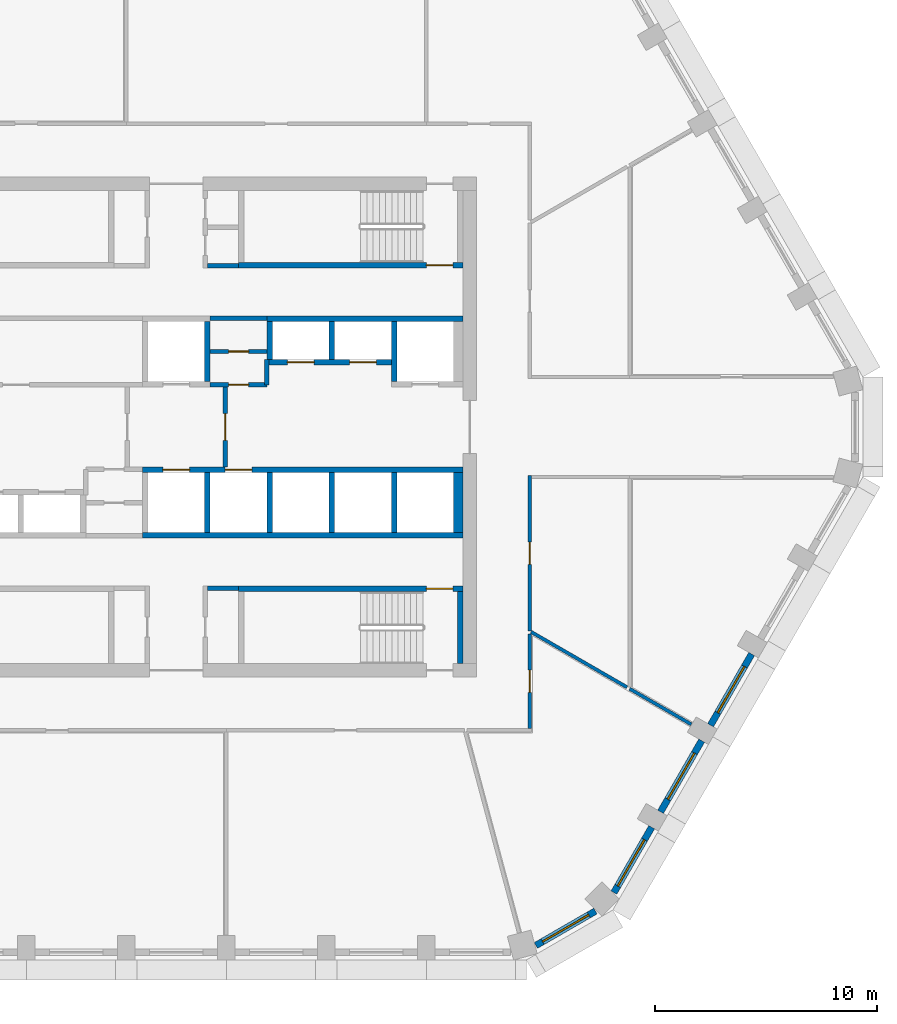
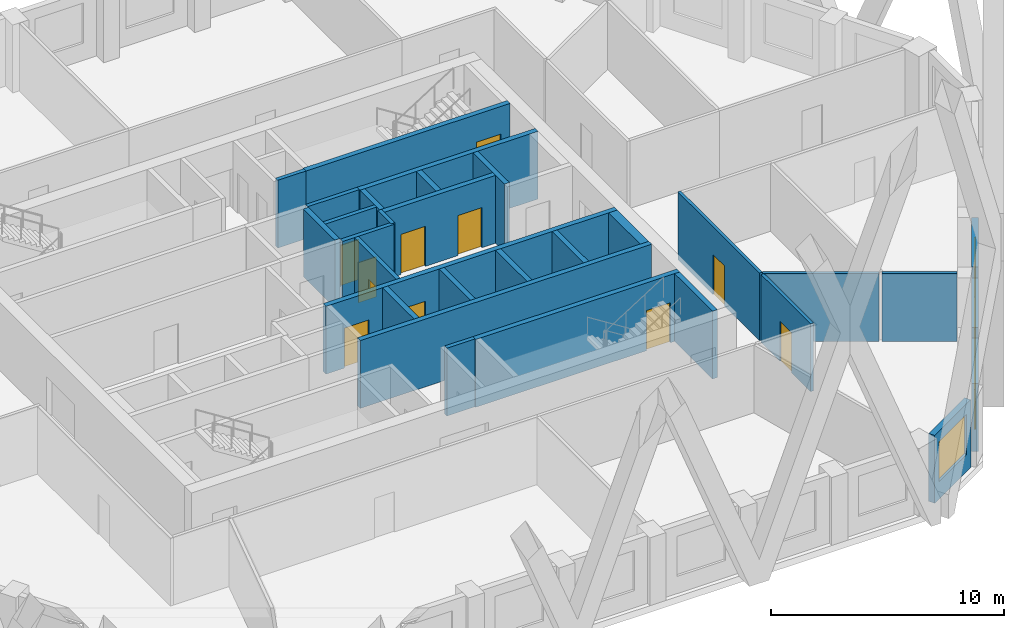
# One storey, part 4 of 15: 31 walls, 11 doors, 4 windows, 15 openings.
"""IFC4 building model written with IfcOpenShell, lengths in metres."""

import ifcopenshell
import ifcopenshell.guid

model = None  # the IFC model being written
_history = None  # IfcOwnerHistory: only IFC2X3 demands one
_inside = {}  # id of a spatial element -> (the spatial element, [elements in it])
_under = {}  # id of a project, library or spatial element -> (it, [spatial elements below it])
_declared = {}  # id of a project -> (the project, [libraries it declares])
_typed = {}  # id of a type object -> (the type object, [elements of that type])
_made_of = {}  # id of a material, layer set ... -> (it, [elements and type objects made of it])


def new_model(schema):
    """Start an empty IFC model of exactly this schema.

    Asked for "IFC4X3", IfcOpenShell would pick the latest addendum, in which some entities
    have other attributes; the version numbers below select the first issue.
    IFC2X3 requires an IfcOwnerHistory on every rooted entity: one is made here for all.
    """
    global model, _history
    if schema == "IFC4X3":
        model = ifcopenshell.file(schema_version=(4, 3, 0, 0))
    else:
        model = ifcopenshell.file(schema=schema)
    _inside.clear()
    _under.clear()
    _declared.clear()
    _typed.clear()
    _made_of.clear()
    _history = None
    if model.schema == "IFC2X3":
        org = make("IfcOrganization", Name="unknown")
        user = make(
            "IfcPersonAndOrganization",
            ThePerson=make("IfcPerson", FamilyName="unknown"),
            TheOrganization=org,
        )
        app = make(
            "IfcApplication",
            ApplicationDeveloper=org,
            Version="unknown",
            ApplicationFullName="unknown",
            ApplicationIdentifier="unknown",
        )
        _history = make(
            "IfcOwnerHistory",
            OwningUser=user,
            OwningApplication=app,
            ChangeAction="ADDED",
            CreationDate=0,
        )
    return model


def make(cls, **values):
    """One entity of the class cls with the attributes given. An attribute that is None is left unset."""
    return model.create_entity(
        cls, **{name: value for name, value in values.items() if value is not None}
    )


def rooted(cls, **values):
    """An entity with a GlobalId (a new one), such as an element, a storey or a relation."""
    return make(cls, GlobalId=ifcopenshell.guid.new(), OwnerHistory=_history, **values)


def si_unit(unit_type, name, prefix=None):
    """IfcSIUnit, for example si_unit("LENGTHUNIT", "METRE", prefix="MILLI")."""
    return make("IfcSIUnit", UnitType=unit_type, Prefix=prefix, Name=name)


def assignment(units):
    """IfcUnitAssignment: the units of a project."""
    return None if units is None else make("IfcUnitAssignment", Units=units)


def point(xyz):
    """IfcCartesianPoint."""
    return None if xyz is None else make("IfcCartesianPoint", Coordinates=xyz)


def direction(xyz):
    """IfcDirection."""
    return None if xyz is None else make("IfcDirection", DirectionRatios=xyz)


def frame(location, z_axis=None, x_axis=None):
    """IfcAxis2Placement3D, a coordinate frame: its origin and axes. An axis left out is left unset."""
    return make(
        "IfcAxis2Placement3D",
        Location=point(location),
        Axis=direction(z_axis),
        RefDirection=direction(x_axis),
    )


def frame_2d(location, x_axis=None):
    """IfcAxis2Placement2D, a coordinate frame in the plane: its origin and x axis."""
    return make(
        "IfcAxis2Placement2D", Location=point(location), RefDirection=direction(x_axis)
    )


def origin():
    """The frame at (0, 0, 0) with its axes left unset."""
    return frame((0.0, 0.0, 0.0))


def place(relative_to, where):
    """IfcLocalPlacement: puts the frame where relative to a parent placement (None: the world)."""
    return make(
        "IfcLocalPlacement", PlacementRelTo=relative_to, RelativePlacement=where
    )


def context(
    kind, dimensions, precision=None, world=None, true_north=None, identifier=None
):
    """IfcGeometricRepresentationContext, for example the 3D "Model" context."""
    return make(
        "IfcGeometricRepresentationContext",
        ContextIdentifier=identifier,
        ContextType=kind,
        CoordinateSpaceDimension=dimensions,
        Precision=precision,
        WorldCoordinateSystem=world,
        TrueNorth=true_north,
    )


def subcontext(parent, identifier, kind, view, scale=None):
    """IfcGeometricRepresentationSubContext, for example "Body" below "Model"."""
    return make(
        "IfcGeometricRepresentationSubContext",
        ContextIdentifier=identifier,
        ContextType=kind,
        ParentContext=parent,
        TargetScale=scale,
        TargetView=view,
    )


def project(units=None, contexts=None):
    """IfcProject with its units and contexts."""
    return rooted(
        "IfcProject",
        Name="project",
        RepresentationContexts=contexts,
        UnitsInContext=assignment(units),
    )


def spatial(cls, under=None, at=None, **own):
    """A site, building, storey or space (cls), placed at a placement, below another one or the project."""
    s = rooted(cls, ObjectPlacement=at, **own)
    if under is not None:
        _under.setdefault(under.id(), (under, []))[1].append(s)
    return s


def polyline(points):
    """IfcPolyline through the points."""
    return make("IfcPolyline", Points=[point(p) for p in points])


def profile(cls, at=None, kind="AREA", **sizes):
    """A parametric profile (cls). Its sizes go by their IFC names, for example OverallWidth=200.0."""
    return make(cls, ProfileType=kind, Position=at, **sizes)


def rectangle(**sizes):
    """IfcRectangleProfileDef."""
    return profile("IfcRectangleProfileDef", **sizes)


def outline(outer, holes=None, kind="AREA"):
    """IfcArbitraryClosedProfileDef: a profile drawn as a closed curve; with holes, ...WithVoids."""
    if holes is None:
        return make("IfcArbitraryClosedProfileDef", ProfileType=kind, OuterCurve=outer)
    return make(
        "IfcArbitraryProfileDefWithVoids",
        ProfileType=kind,
        OuterCurve=outer,
        InnerCurves=holes,
    )


def extrude(swept, where, along, depth):
    """IfcExtrudedAreaSolid: the profile swept, set in the frame where, extruded along a direction by depth."""
    return make(
        "IfcExtrudedAreaSolid",
        SweptArea=swept,
        Position=where,
        ExtrudedDirection=direction(along),
        Depth=depth,
    )


def shape(context_of_items, identifier, shape_type, items):
    """IfcShapeRepresentation: the items that make up one representation, for example the "Body"."""
    return make(
        "IfcShapeRepresentation",
        ContextOfItems=context_of_items,
        RepresentationIdentifier=identifier,
        RepresentationType=shape_type,
        Items=items,
    )


def material(Name=None, Category=None):
    """IfcMaterial."""
    return make("IfcMaterial", Name=Name, Category=Category)


def layer(
    of_material, thickness, ventilated=None, Name=None, Category=None, Priority=None
):
    """IfcMaterialLayer: one layer of a wall or slab, of a material (None: an air gap)."""
    return make(
        "IfcMaterialLayer",
        Material=of_material,
        LayerThickness=thickness,
        IsVentilated=ventilated,
        Name=Name,
        Category=Category,
        Priority=Priority,
    )


def layer_set(layers, Name=None):
    """IfcMaterialLayerSet."""
    return make("IfcMaterialLayerSet", MaterialLayers=layers, LayerSetName=Name)


def made_of(thing, what):
    """Note that an element or type object is made of a material, layer set ...; save() writes the relation."""
    if what is not None:
        _made_of.setdefault(what.id(), (what, []))[1].append(thing)
    return thing


def type_object(cls, material=None, **own):
    """A type object (cls), such as IfcWallType, which elements share."""
    return made_of(rooted(cls, **own), material)


def element(
    cls,
    number,
    at=None,
    inside=None,
    cuts=None,
    type_object=None,
    material=None,
    context=None,
    identifier="Body",
    shape_type=None,
    held_by="IfcProductDefinitionShape",
    body=None,
    shapes=None,
    **own,
):
    """One element of the class cls, such as IfcWall. Its Tag is "e" and its number.

    at: its placement. inside: the storey or other place that contains it. cuts: it is an
    opening in that element (IfcRelVoidsElement). A single representation is given by context,
    identifier, shape_type and body (its items); several are given by shapes. held_by: the class
    of the entity that holds the representations. save() writes the other relations.
    """
    e = rooted(cls, Tag="e%d" % number, ObjectPlacement=at, **own)
    if body is not None:
        shapes = [shape(context, identifier, shape_type, body)]
    if shapes is not None:
        e.Representation = make(held_by, Representations=shapes)
    if inside is not None:
        _inside.setdefault(inside.id(), (inside, []))[1].append(e)
    if cuts is not None:
        rooted(
            "IfcRelVoidsElement", RelatingBuildingElement=cuts, RelatedOpeningElement=e
        )
    if type_object is not None:
        _typed.setdefault(type_object.id(), (type_object, []))[1].append(e)
    return made_of(e, material)


def fill(opening, filler):
    """IfcRelFillsElement: the door or window that sits in an opening."""
    return rooted(
        "IfcRelFillsElement",
        RelatingOpeningElement=opening,
        RelatedBuildingElement=filler,
    )


def aggregate(whole, parts):
    """IfcRelAggregates: a whole, such as a stair, and the parts it consists of."""
    return rooted("IfcRelAggregates", RelatingObject=whole, RelatedObjects=parts)


def save(model, path):
    """Write the relations noted so far, then the file.

    IfcRelAggregates (storeys below a building ...), IfcRelContainedInSpatialStructure (elements
    in a storey), IfcRelDefinesByType, IfcRelAssociatesMaterial and IfcRelDeclares: one each for
    every whole, place, type object, material and project.
    """
    for whole, parts in _under.values():
        aggregate(whole, parts)
    for where, things in _inside.values():
        rooted(
            "IfcRelContainedInSpatialStructure",
            RelatedElements=things,
            RelatingStructure=where,
        )
    for kind, things in _typed.values():
        rooted("IfcRelDefinesByType", RelatedObjects=things, RelatingType=kind)
    for what, things in _made_of.values():
        rooted("IfcRelAssociatesMaterial", RelatedObjects=things, RelatingMaterial=what)
    for by, libraries in _declared.values():
        rooted("IfcRelDeclares", RelatingContext=by, RelatedDefinitions=libraries)
    model.write(path)


model = new_model("IFC4")

# Units and contexts
model_context = context("Model", 3, precision=1e-05, world=origin(), true_north=direction((0.0, 1.0)))
body_context = subcontext(model_context, "Body", "Model", "MODEL_VIEW")
ifc_project = project(units=[si_unit("LENGTHUNIT", "METRE"), si_unit("AREAUNIT", "SQUARE_METRE"), si_unit("VOLUMEUNIT", "CUBIC_METRE"), si_unit("PLANEANGLEUNIT", "RADIAN"), si_unit("MASSUNIT", "GRAM", prefix="KILO")], contexts=[model_context])

# Site, building, storey
site_placement = place(None, origin())
site = spatial("IfcSite", under=ifc_project, at=site_placement, CompositionType="ELEMENT")
building_placement = place(site_placement, origin())
building = spatial("IfcBuilding", under=site, at=building_placement, Name="Dhurran Vertical Campus", CompositionType="ELEMENT")
storey_placement = place(building_placement, frame((0.0, 0.0, 207.300048828125)))
storey = spatial("IfcBuildingStorey", under=building, at=storey_placement, Name="L51", CompositionType="ELEMENT", Elevation=207.300048828125)

# Wall, opening, window
ifc_material_1 = material(Name="Precast concrete C50/60", Category="concrete")
ifc_layer_1 = layer(ifc_material_1, 0.300048828125)
ifc_layer_set_1 = layer_set([ifc_layer_1], Name="Precast concrete C50/60")
wall_type_1 = type_object("IfcWallType", Name="Precast spandrel wall 300", PredefinedType="SOLIDWALL", material=ifc_layer_set_1)
wall_1_placement = place(storey_placement, frame((16.184326171875, -23.330810546875, 0.0), z_axis=(0.0, 0.0, 1.0), x_axis=(0.865994975416, 0.500052699777, 0.0)))
wall_1 = element("IfcWall", 1, at=wall_1_placement, inside=storey, type_object=wall_type_1, Name="EW1 L51.07", PredefinedType="SOLIDWALL", context=body_context, shape_type="SweptSolid", body=[
    extrude(rectangle(XDim=3.093017578125, YDim=0.300048828125, at=frame_2d((1.54638671875, 0.0))), origin(), (0.0, 0.0, 1.0), 3.550048828125),
])
opening_1_placement = place(wall_1_placement, frame((0.346435546875, 0.0, 0.89990234375)))
opening_1 = element("IfcOpeningElement", 2, at=opening_1_placement, cuts=wall_1, Name="Opening WT1", PredefinedType="OPENING", context=body_context, shape_type="SweptSolid", body=[
    extrude(rectangle(XDim=2.39990234375, YDim=2.10009765625, at=frame_2d((1.199951171875, 1.050048828125))), frame((0.0, 0.159912109375, 0.0), z_axis=(0.0, -1.0, 0.0), x_axis=(1.0, 0.0, 0.0)), (0.0, 0.0, 1.0), 0.320068359375),
])
ifc_material_2 = material(Name="Aluminium frame with solar-control glass", Category="aluminium")
window_type = type_object("IfcWindowType", Name="Punched window 2400 x 2100", PartitioningType="SINGLE_PANEL", PredefinedType="WINDOW", material=ifc_material_2)
window_1_placement = place(opening_1_placement, origin())
window_1 = element("IfcWindow", 3, at=window_1_placement, inside=storey, type_object=window_type, Name="WT1 L51.07", OverallHeight=2.10009765625, OverallWidth=2.39990234375, PartitioningType="SINGLE_PANEL", PredefinedType="WINDOW", context=body_context, shape_type="SweptSolid", body=[
    extrude(rectangle(XDim=2.39990234375, YDim=2.10009765625, at=frame_2d((1.199951171875, 1.050048828125))), frame((0.0, 0.030029296875, 0.0), z_axis=(0.0, -1.0, 0.0), x_axis=(1.0, 0.0, 0.0)), (0.0, 0.0, 1.0), 0.06005859375),
])
fill(opening_1, window_1)

wall_2_placement = place(storey_placement, frame((19.69580078125, -20.951171875, 0.0), z_axis=(0.0, 0.0, 1.0), x_axis=(0.500012868213, 0.866017974191, 0.0)))
wall_2 = element("IfcWall", 4, at=wall_2_placement, inside=storey, type_object=wall_type_1, Name="EW1 L51.08", PredefinedType="SOLIDWALL", context=body_context, shape_type="SweptSolid", body=[
    extrude(rectangle(XDim=3.39599609375, YDim=0.300048828125, at=frame_2d((1.697998046875, 0.0))), origin(), (0.0, 0.0, 1.0), 3.550048828125),
])
opening_2_placement = place(wall_2_placement, frame((0.346435546875, 0.0, 0.89990234375)))
opening_2 = element("IfcOpeningElement", 5, at=opening_2_placement, cuts=wall_2, Name="Opening WT1", PredefinedType="OPENING", context=body_context, shape_type="SweptSolid", body=[
    extrude(rectangle(XDim=2.39990234375, YDim=2.10009765625, at=frame_2d((1.199951171875, 1.050048828125))), frame((0.0, 0.159912109375, 0.0), z_axis=(0.0, -1.0, 0.0), x_axis=(1.0, 0.0, 0.0)), (0.0, 0.0, 1.0), 0.320068359375),
])
window_2_placement = place(opening_2_placement, origin())
window_2 = element("IfcWindow", 6, at=window_2_placement, inside=storey, type_object=window_type, Name="WT1 L51.08", OverallHeight=2.10009765625, OverallWidth=2.39990234375, PartitioningType="SINGLE_PANEL", PredefinedType="WINDOW", context=body_context, shape_type="SweptSolid", body=[
    extrude(rectangle(XDim=2.39990234375, YDim=2.10009765625, at=frame_2d((1.199951171875, 1.050048828125))), frame((0.0, 0.030029296875, 0.0), z_axis=(0.0, -1.0, 0.0), x_axis=(1.0, 0.0, 0.0)), (0.0, 0.0, 1.0), 0.06005859375),
])
fill(opening_2, window_2)

wall_3_placement = place(storey_placement, frame((21.794189453125, -17.316650390625, 0.0), z_axis=(0.0, 0.0, 1.0), x_axis=(0.500029062817, 0.866008623709, 0.0)))
wall_3 = element("IfcWall", 7, at=wall_3_placement, inside=storey, type_object=wall_type_1, Name="EW1 L51.09", PredefinedType="SOLIDWALL", context=body_context, shape_type="SweptSolid", body=[
    extrude(rectangle(XDim=3.698974609375, YDim=0.300048828125, at=frame_2d((1.849609375, 0.0))), origin(), (0.0, 0.0, 1.0), 3.550048828125),
])
opening_3_placement = place(wall_3_placement, frame((0.6494140625, 0.0, 0.89990234375)))
opening_3 = element("IfcOpeningElement", 8, at=opening_3_placement, cuts=wall_3, Name="Opening WT1", PredefinedType="OPENING", context=body_context, shape_type="SweptSolid", body=[
    extrude(rectangle(XDim=2.39990234375, YDim=2.10009765625, at=frame_2d((1.199951171875, 1.050048828125))), frame((0.0, 0.159912109375, 0.0), z_axis=(0.0, -1.0, 0.0), x_axis=(1.0, 0.0, 0.0)), (0.0, 0.0, 1.0), 0.320068359375),
])
window_3_placement = place(opening_3_placement, origin())
window_3 = element("IfcWindow", 9, at=window_3_placement, inside=storey, type_object=window_type, Name="WT1 L51.09", OverallHeight=2.10009765625, OverallWidth=2.39990234375, PartitioningType="SINGLE_PANEL", PredefinedType="WINDOW", context=body_context, shape_type="SweptSolid", body=[
    extrude(rectangle(XDim=2.39990234375, YDim=2.10009765625, at=frame_2d((1.199951171875, 1.050048828125))), frame((0.0, 0.030029296875, 0.0), z_axis=(0.0, -1.0, 0.0), x_axis=(1.0, 0.0, 0.0)), (0.0, 0.0, 1.0), 0.06005859375),
])
fill(opening_3, window_3)

wall_4_placement = place(storey_placement, frame((24.044189453125, -13.41943359375, 0.0), z_axis=(0.0, 0.0, 1.0), x_axis=(0.500029062817, 0.866008623709, 0.0)))
wall_4 = element("IfcWall", 10, at=wall_4_placement, inside=storey, type_object=wall_type_1, Name="EW1 L51.10", PredefinedType="SOLIDWALL", context=body_context, shape_type="SweptSolid", body=[
    extrude(rectangle(XDim=3.698974609375, YDim=0.300048828125, at=frame_2d((1.849609375, 0.0))), origin(), (0.0, 0.0, 1.0), 3.550048828125),
])
opening_4_placement = place(wall_4_placement, frame((0.6494140625, 0.0, 0.89990234375)))
opening_4 = element("IfcOpeningElement", 11, at=opening_4_placement, cuts=wall_4, Name="Opening WT1", PredefinedType="OPENING", context=body_context, shape_type="SweptSolid", body=[
    extrude(rectangle(XDim=2.39990234375, YDim=2.10009765625, at=frame_2d((1.199951171875, 1.050048828125))), frame((0.0, 0.159912109375, 0.0), z_axis=(0.0, -1.0, 0.0), x_axis=(1.0, 0.0, 0.0)), (0.0, 0.0, 1.0), 0.320068359375),
])
window_4_placement = place(opening_4_placement, origin())
window_4 = element("IfcWindow", 12, at=window_4_placement, inside=storey, type_object=window_type, Name="WT1 L51.10", OverallHeight=2.10009765625, OverallWidth=2.39990234375, PartitioningType="SINGLE_PANEL", PredefinedType="WINDOW", context=body_context, shape_type="SweptSolid", body=[
    extrude(rectangle(XDim=2.39990234375, YDim=2.10009765625, at=frame_2d((1.199951171875, 1.050048828125))), frame((0.0, 0.030029296875, 0.0), z_axis=(0.0, -1.0, 0.0), x_axis=(1.0, 0.0, 0.0)), (0.0, 0.0, 1.0), 0.06005859375),
])
fill(opening_4, window_4)

# Wall, opening, door
ifc_material_3 = material(Name="Fire-rated masonry blockwork", Category="masonry")
ifc_layer_2 = layer(ifc_material_3, 0.199951171875)
ifc_layer_set_2 = layer_set([ifc_layer_2], Name="Fire-rated masonry blockwork")
wall_type_2 = type_object("IfcWallType", Name="co-FIRE-PARTITION-200", PredefinedType="PARTITIONING", material=ifc_layer_set_2)
wall_5_placement = place(storey_placement, frame((2.199951171875, -1.800048828125, 0.0), z_axis=(0.0, 0.0, 1.0), x_axis=(0.0, 1.0, 0.0)))
wall_5 = element("IfcWall", 13, at=wall_5_placement, inside=storey, type_object=wall_type_2, Name="Firefighting lobby wall E L51", PredefinedType="PARTITIONING", context=body_context, shape_type="SweptSolid", body=[
    extrude(rectangle(XDim=3.60009765625, YDim=0.199951171875, at=frame_2d((1.800048828125, 0.0))), origin(), (0.0, 0.0, 1.0), 3.550048828125),
])
opening_5_placement = place(wall_5_placement, frame((1.199951171875, 0.0, 0.0)))
opening_5 = element("IfcOpeningElement", 14, at=opening_5_placement, cuts=wall_5, Name="Opening FL2", PredefinedType="OPENING", context=body_context, shape_type="SweptSolid", body=[
    extrude(rectangle(XDim=1.199951171875, YDim=2.10009765625, at=frame_2d((0.60009765625, 1.050048828125))), frame((0.0, 0.10986328125, 0.0), z_axis=(0.0, -1.0, 0.0), x_axis=(1.0, 0.0, 0.0)), (0.0, 0.0, 1.0), 0.219970703125),
])
ifc_material_4 = material(Name="Fire-rated steel door set", Category="steel")
door_type_1 = type_object("IfcDoorType", Name="co-D-FFLOBBY 1200x2100", OperationType="SINGLE_SWING_LEFT", PredefinedType="DOOR", material=ifc_material_4)
door_1_placement = place(opening_5_placement, origin())
door_1 = element("IfcDoor", 15, at=door_1_placement, inside=storey, type_object=door_type_1, Name="Firefighting lobby door E L51", OperationType="SINGLE_SWING_LEFT", OverallHeight=2.10009765625, OverallWidth=1.199951171875, PredefinedType="DOOR", context=body_context, shape_type="SweptSolid", body=[
    extrude(rectangle(XDim=1.199951171875, YDim=2.10009765625, at=frame_2d((0.60009765625, 1.050048828125))), frame((0.0, 0.02490234375, 0.0), z_axis=(0.0, -1.0, 0.0), x_axis=(1.0, 0.0, 0.0)), (0.0, 0.0, 1.0), 0.050048828125),
])
fill(opening_5, door_1)

# Walls
for number, where, z_axis, x_axis, name in (
    (16, (1.39990234375, 7.25, 0.0), (0.0, 0.0, 1.0), (1.0, 0.0, 0.0), "Core partition sl-NE-S L51"),
    (17, (1.39990234375, -7.25, 0.0), (0.0, 0.0, 1.0), (1.0, 0.0, 0.0), "Core partition sl-SE-S L51"),
):
    element("IfcWall", number, at=place(storey_placement, frame(where, z_axis=z_axis, x_axis=x_axis)), inside=storey, type_object=wall_type_2, Name=name, PredefinedType="PARTITIONING", context=body_context, shape_type="SweptSolid", body=[
        extrude(rectangle(XDim=1.400146484375, YDim=0.199951171875, at=frame_2d((0.7001953125, 0.0))), origin(), (0.0, 0.0, 1.0), 3.550048828125),
    ])

# Wall, opening, door
wall_6_placement = place(storey_placement, frame((1.52490234375, 3.39990234375, 0.0), z_axis=(0.0, 0.0, 1.0), x_axis=(1.0, 0.0, 0.0)))
wall_6 = element("IfcWall", 18, at=wall_6_placement, inside=storey, type_object=wall_type_2, Name="Core partition fr-N1-c L51", PredefinedType="PARTITIONING", context=body_context, shape_type="SweptSolid", body=[
    extrude(rectangle(XDim=2.550048828125, YDim=0.199951171875, at=frame_2d((1.27490234375, 0.0))), origin(), (0.0, 0.0, 1.0), 3.550048828125),
])
opening_6_placement = place(wall_6_placement, frame((0.824951171875, 0.0, 0.0)))
opening_6 = element("IfcOpeningElement", 19, at=opening_6_placement, cuts=wall_6, Name="Opening T15-C7", PredefinedType="OPENING", context=body_context, shape_type="SweptSolid", body=[
    extrude(rectangle(XDim=0.89990234375, YDim=2.10009765625, at=frame_2d((0.449951171875, 1.050048828125))), frame((0.0, 0.10986328125, 0.0), z_axis=(0.0, -1.0, 0.0), x_axis=(1.0, 0.0, 0.0)), (0.0, 0.0, 1.0), 0.219970703125),
])
ifc_material_5 = material(Name="Fire-rated timber door set", Category="wood")
door_type_2 = type_object("IfcDoorType", Name="co-D-ROOM 900x2100", OperationType="SINGLE_SWING_LEFT", PredefinedType="DOOR", material=ifc_material_5)
door_2_placement = place(opening_6_placement, origin())
door_2 = element("IfcDoor", 20, at=door_2_placement, inside=storey, type_object=door_type_2, Name="Communications room door L51", OperationType="SINGLE_SWING_LEFT", OverallHeight=2.10009765625, OverallWidth=0.89990234375, PredefinedType="DOOR", context=body_context, shape_type="SweptSolid", body=[
    extrude(rectangle(XDim=0.89990234375, YDim=2.10009765625, at=frame_2d((0.449951171875, 1.050048828125))), frame((0.0, 0.02490234375, 0.0), z_axis=(0.0, -1.0, 0.0), x_axis=(1.0, 0.0, 0.0)), (0.0, 0.0, 1.0), 0.050048828125),
])
fill(opening_6, door_2)

wall_7_placement = place(storey_placement, frame((1.52490234375, 1.89990234375, 0.0), z_axis=(0.0, 0.0, 1.0), x_axis=(1.0, 0.0, 0.0)))
wall_7 = element("IfcWall", 21, at=wall_7_placement, inside=storey, type_object=wall_type_2, Name="Core partition fr-N1-f L51", PredefinedType="PARTITIONING", context=body_context, shape_type="SweptSolid", body=[
    extrude(rectangle(XDim=2.550048828125, YDim=0.199951171875, at=frame_2d((1.27490234375, 0.0))), origin(), (0.0, 0.0, 1.0), 3.550048828125),
])
opening_7_placement = place(wall_7_placement, frame((0.824951171875, 0.0, 0.0)))
opening_7 = element("IfcOpeningElement", 22, at=opening_7_placement, cuts=wall_7, Name="Opening T15-C8", PredefinedType="OPENING", context=body_context, shape_type="SweptSolid", body=[
    extrude(rectangle(XDim=0.89990234375, YDim=2.10009765625, at=frame_2d((0.449951171875, 1.050048828125))), frame((0.0, 0.10986328125, 0.0), z_axis=(0.0, -1.0, 0.0), x_axis=(1.0, 0.0, 0.0)), (0.0, 0.0, 1.0), 0.219970703125),
])
door_3_placement = place(opening_7_placement, origin())
door_3 = element("IfcDoor", 23, at=door_3_placement, inside=storey, type_object=door_type_2, Name="Server room door L51", OperationType="SINGLE_SWING_LEFT", OverallHeight=2.10009765625, OverallWidth=0.89990234375, PredefinedType="DOOR", context=body_context, shape_type="SweptSolid", body=[
    extrude(rectangle(XDim=0.89990234375, YDim=2.10009765625, at=frame_2d((0.449951171875, 1.050048828125))), frame((0.0, 0.02490234375, 0.0), z_axis=(0.0, -1.0, 0.0), x_axis=(1.0, 0.0, 0.0)), (0.0, 0.0, 1.0), 0.050048828125),
])
fill(opening_7, door_3)

# Walls
wall_8_placement = place(storey_placement, frame((1.52490234375, 4.89990234375, 0.0), z_axis=(0.0, 0.0, 1.0), x_axis=(1.0, 0.0, 0.0)))
element("IfcWall", 24, at=wall_8_placement, inside=storey, type_object=wall_type_2, Name="Core partition fr-N1-b L51", PredefinedType="PARTITIONING", context=body_context, shape_type="SweptSolid", body=[
    extrude(rectangle(XDim=2.550048828125, YDim=0.199951171875, at=frame_2d((1.27490234375, 0.0))), origin(), (0.0, 0.0, 1.0), 3.550048828125),
])
wall_9_placement = place(storey_placement, frame((4.074951171875, 1.89990234375, 0.0), z_axis=(0.0, 0.0, 1.0), x_axis=(0.0, 1.0, 0.0)))
element("IfcWall", 25, at=wall_9_placement, inside=storey, type_object=wall_type_2, Name="Core partition fr-N1-n1 L51", PredefinedType="PARTITIONING", context=body_context, shape_type="SweptSolid", body=[
    extrude(rectangle(XDim=1.150146484375, YDim=0.199951171875, at=frame_2d((0.5751953125, 0.0))), origin(), (0.0, 0.0, 1.0), 3.550048828125),
])

# Wall, openings, doors
ifc_material_6 = material(Name="Concrete C50/60", Category="concrete")
ifc_layer_3 = layer(ifc_material_6, 0.25)
ifc_layer_set_3 = layer_set([ifc_layer_3], Name="Concrete C50/60")
wall_type_3 = type_object("IfcWallType", Name="co-SHAFT-FRONT-250", PredefinedType="SHEAR", material=ifc_layer_set_3)
wall_10_placement = place(storey_placement, frame((4.074951171875, 2.925048828125, 0.0), z_axis=(0.0, 0.0, 1.0), x_axis=(1.0, 0.0, 0.0)))
wall_10 = element("IfcWall", 26, at=wall_10_placement, inside=storey, type_object=wall_type_3, Name="Lift landing wall N L51", PredefinedType="SHEAR", context=body_context, shape_type="SweptSolid", body=[
    extrude(rectangle(XDim=5.85009765625, YDim=0.25, at=frame_2d((2.925048828125, 0.0))), origin(), (0.0, 0.0, 1.0), 3.550048828125),
])
opening_8_placement = place(wall_10_placement, frame((0.925048828125, 0.0, 0.0)))
opening_8 = element("IfcOpeningElement", 27, at=opening_8_placement, cuts=wall_10, Name="Opening LD", PredefinedType="OPENING", context=body_context, shape_type="SweptSolid", body=[
    extrude(rectangle(XDim=1.199951171875, YDim=2.10009765625, at=frame_2d((0.60009765625, 1.050048828125))), frame((0.0, 0.135009765625, 0.0), z_axis=(0.0, -1.0, 0.0), x_axis=(1.0, 0.0, 0.0)), (0.0, 0.0, 1.0), 0.27001953125),
])
opening_9_placement = place(wall_10_placement, frame((3.72509765625, 0.0, 0.0)))
opening_9 = element("IfcOpeningElement", 28, at=opening_9_placement, cuts=wall_10, Name="Opening LD", PredefinedType="OPENING", context=body_context, shape_type="SweptSolid", body=[
    extrude(rectangle(XDim=1.199951171875, YDim=2.10009765625, at=frame_2d((0.60009765625, 1.050048828125))), frame((0.0, 0.135009765625, 0.0), z_axis=(0.0, -1.0, 0.0), x_axis=(1.0, 0.0, 0.0)), (0.0, 0.0, 1.0), 0.27001953125),
])
ifc_material_7 = material(Name="Stainless steel landing door", Category="steel")
door_type_3 = type_object("IfcDoorType", Name="co-D-LANDING 1200x2100", OperationType="DOUBLE_DOOR_SLIDING", PredefinedType="DOOR", material=ifc_material_7)
door_4_placement = place(opening_8_placement, origin())
door_4 = element("IfcDoor", 29, at=door_4_placement, inside=storey, type_object=door_type_3, Name="Landing door MR1 L51", OperationType="DOUBLE_DOOR_SLIDING", OverallHeight=2.10009765625, OverallWidth=1.199951171875, PredefinedType="DOOR", context=body_context, shape_type="SweptSolid", body=[
    extrude(rectangle(XDim=1.199951171875, YDim=2.10009765625, at=frame_2d((0.60009765625, 1.050048828125))), frame((0.0, 0.02490234375, 0.0), z_axis=(0.0, -1.0, 0.0), x_axis=(1.0, 0.0, 0.0)), (0.0, 0.0, 1.0), 0.050048828125),
])
fill(opening_8, door_4)
door_5_placement = place(opening_9_placement, origin())
door_5 = element("IfcDoor", 30, at=door_5_placement, inside=storey, type_object=door_type_3, Name="Landing door MR2 L51", OperationType="DOUBLE_DOOR_SLIDING", OverallHeight=2.10009765625, OverallWidth=1.199951171875, PredefinedType="DOOR", context=body_context, shape_type="SweptSolid", body=[
    extrude(rectangle(XDim=1.199951171875, YDim=2.10009765625, at=frame_2d((0.60009765625, 1.050048828125))), frame((0.0, 0.02490234375, 0.0), z_axis=(0.0, -1.0, 0.0), x_axis=(1.0, 0.0, 0.0)), (0.0, 0.0, 1.0), 0.050048828125),
])
fill(opening_9, door_5)

wall_11_placement = place(storey_placement, frame((-1.52490234375, -1.925048828125, 0.0), z_axis=(0.0, 0.0, 1.0), x_axis=(1.0, 0.0, 0.0)))
wall_11 = element("IfcWall", 31, at=wall_11_placement, inside=storey, type_object=wall_type_3, Name="Lift landing wall S L51", PredefinedType="SHEAR", context=body_context, shape_type="SweptSolid", body=[
    extrude(rectangle(XDim=14.4248046875, YDim=0.25, at=frame_2d((7.21240234375, 0.0))), origin(), (0.0, 0.0, 1.0), 3.550048828125),
])
opening_10_placement = place(wall_11_placement, frame((0.925048828125, 0.0, 0.0)))
opening_10 = element("IfcOpeningElement", 32, at=opening_10_placement, cuts=wall_11, Name="Opening LD", PredefinedType="OPENING", context=body_context, shape_type="SweptSolid", body=[
    extrude(rectangle(XDim=1.199951171875, YDim=2.10009765625, at=frame_2d((0.60009765625, 1.050048828125))), frame((0.0, 0.135009765625, 0.0), z_axis=(0.0, -1.0, 0.0), x_axis=(1.0, 0.0, 0.0)), (0.0, 0.0, 1.0), 0.27001953125),
])
opening_11_placement = place(wall_11_placement, frame((3.72509765625, 0.0, 0.0)))
opening_11 = element("IfcOpeningElement", 33, at=opening_11_placement, cuts=wall_11, Name="Opening LD", PredefinedType="OPENING", context=body_context, shape_type="SweptSolid", body=[
    extrude(rectangle(XDim=1.199951171875, YDim=2.10009765625, at=frame_2d((0.60009765625, 1.050048828125))), frame((0.0, 0.135009765625, 0.0), z_axis=(0.0, -1.0, 0.0), x_axis=(1.0, 0.0, 0.0)), (0.0, 0.0, 1.0), 0.27001953125),
])
door_6_placement = place(opening_10_placement, origin())
door_6 = element("IfcDoor", 34, at=door_6_placement, inside=storey, type_object=door_type_3, Name="Landing door FF2 L51", OperationType="DOUBLE_DOOR_SLIDING", OverallHeight=2.10009765625, OverallWidth=1.199951171875, PredefinedType="DOOR", context=body_context, shape_type="SweptSolid", body=[
    extrude(rectangle(XDim=1.199951171875, YDim=2.10009765625, at=frame_2d((0.60009765625, 1.050048828125))), frame((0.0, 0.02490234375, 0.0), z_axis=(0.0, -1.0, 0.0), x_axis=(1.0, 0.0, 0.0)), (0.0, 0.0, 1.0), 0.050048828125),
])
fill(opening_10, door_6)
door_7_placement = place(opening_11_placement, origin())
door_7 = element("IfcDoor", 35, at=door_7_placement, inside=storey, type_object=door_type_3, Name="Landing door SV1 L51", OperationType="DOUBLE_DOOR_SLIDING", OverallHeight=2.10009765625, OverallWidth=1.199951171875, PredefinedType="DOOR", context=body_context, shape_type="SweptSolid", body=[
    extrude(rectangle(XDim=1.199951171875, YDim=2.10009765625, at=frame_2d((0.60009765625, 1.050048828125))), frame((0.0, 0.02490234375, 0.0), z_axis=(0.0, -1.0, 0.0), x_axis=(1.0, 0.0, 0.0)), (0.0, 0.0, 1.0), 0.050048828125),
])
fill(opening_11, door_7)

# Walls
ifc_material_8 = material(Name="Concrete C50/60", Category="concrete")
ifc_layer_4 = layer(ifc_material_8, 0.25)
ifc_layer_set_4 = layer_set([ifc_layer_4], Name="Concrete C50/60")
wall_type_4 = type_object("IfcWallType", Name="co-SHAFT-MASS-250", PredefinedType="SHEAR", material=ifc_layer_set_4)
wall_12_placement = place(storey_placement, origin())
element("IfcWall", 36, at=wall_12_placement, inside=storey, type_object=wall_type_4, Name="Lift shaft wall N L51 2", PredefinedType="SHEAR", context=body_context, shape_type="SweptSolid", body=[
    extrude(outline(polyline([(4.074951171875, 4.75), (12.89990234375, 4.75), (12.89990234375, 5.0), (4.074951171875, 5.0), (4.074951171875, 4.75)])), origin(), (0.0, 0.0, 1.0), 3.550048828125),
])
wall_13_placement = place(storey_placement, origin())
element("IfcWall", 37, at=wall_13_placement, inside=storey, type_object=wall_type_4, Name="Lift shaft wall N L51 4", PredefinedType="SHEAR", context=body_context, shape_type="SweptSolid", body=[
    extrude(outline(polyline([(1.27490234375, 2.050048828125), (1.52490234375, 2.050048828125), (1.52490234375, 4.75), (1.27490234375, 4.75), (1.27490234375, 2.050048828125)])), origin(), (0.0, 0.0, 1.0), 3.550048828125),
])
wall_14_placement = place(storey_placement, origin())
element("IfcWall", 38, at=wall_14_placement, inside=storey, type_object=wall_type_4, Name="Lift shaft wall N L51 5", PredefinedType="SHEAR", context=body_context, shape_type="SweptSolid", body=[
    extrude(outline(polyline([(9.675048828125, 2.050048828125), (9.925048828125, 2.050048828125), (9.925048828125, 4.75), (9.675048828125, 4.75), (9.675048828125, 2.050048828125)])), origin(), (0.0, 0.0, 1.0), 3.550048828125),
])
wall_15_placement = place(storey_placement, origin())
element("IfcWall", 39, at=wall_15_placement, inside=storey, type_object=wall_type_4, Name="Lift shaft wall N L51 7", PredefinedType="SHEAR", context=body_context, shape_type="SweptSolid", body=[
    extrude(outline(polyline([(4.074951171875, 3.050048828125), (4.324951171875, 3.050048828125), (4.324951171875, 4.75), (4.074951171875, 4.75), (4.074951171875, 3.050048828125)])), origin(), (0.0, 0.0, 1.0), 3.550048828125),
])
wall_16_placement = place(storey_placement, origin())
element("IfcWall", 40, at=wall_16_placement, inside=storey, type_object=wall_type_4, Name="Lift shaft wall N L51 8", PredefinedType="SHEAR", context=body_context, shape_type="SweptSolid", body=[
    extrude(outline(polyline([(6.875, 3.050048828125), (7.125, 3.050048828125), (7.125, 4.75), (6.875, 4.75), (6.875, 3.050048828125)])), origin(), (0.0, 0.0, 1.0), 3.550048828125),
])
wall_17_placement = place(storey_placement, origin())
element("IfcWall", 41, at=wall_17_placement, inside=storey, type_object=wall_type_4, Name="Lift shaft wall S L51 2", PredefinedType="SHEAR", context=body_context, shape_type="SweptSolid", body=[
    extrude(outline(polyline([(-1.52490234375, -5.0), (12.89990234375, -5.0), (12.89990234375, -4.75), (-1.52490234375, -4.75), (-1.52490234375, -5.0)])), origin(), (0.0, 0.0, 1.0), 3.550048828125),
])
wall_18_placement = place(storey_placement, origin())
element("IfcWall", 42, at=wall_18_placement, inside=storey, type_object=wall_type_4, Name="Lift shaft wall S L51 8", PredefinedType="SHEAR", context=body_context, shape_type="SweptSolid", body=[
    extrude(outline(polyline([(1.27490234375, -4.75), (1.52490234375, -4.75), (1.52490234375, -2.050048828125), (1.27490234375, -2.050048828125), (1.27490234375, -4.75)])), origin(), (0.0, 0.0, 1.0), 3.550048828125),
])
wall_19_placement = place(storey_placement, origin())
element("IfcWall", 43, at=wall_19_placement, inside=storey, type_object=wall_type_4, Name="Lift shaft wall S L51 9", PredefinedType="SHEAR", context=body_context, shape_type="SweptSolid", body=[
    extrude(outline(polyline([(4.074951171875, -4.75), (4.324951171875, -4.75), (4.324951171875, -2.050048828125), (4.074951171875, -2.050048828125), (4.074951171875, -4.75)])), origin(), (0.0, 0.0, 1.0), 3.550048828125),
])
wall_20_placement = place(storey_placement, origin())
element("IfcWall", 44, at=wall_20_placement, inside=storey, type_object=wall_type_4, Name="Lift shaft wall S L51 10", PredefinedType="SHEAR", context=body_context, shape_type="SweptSolid", body=[
    extrude(outline(polyline([(6.875, -4.75), (7.125, -4.75), (7.125, -2.050048828125), (6.875, -2.050048828125), (6.875, -4.75)])), origin(), (0.0, 0.0, 1.0), 3.550048828125),
])
wall_21_placement = place(storey_placement, origin())
element("IfcWall", 45, at=wall_21_placement, inside=storey, type_object=wall_type_4, Name="Lift shaft wall S L51 11", PredefinedType="SHEAR", context=body_context, shape_type="SweptSolid", body=[
    extrude(outline(polyline([(9.675048828125, -4.75), (9.925048828125, -4.75), (9.925048828125, -2.050048828125), (9.675048828125, -2.050048828125), (9.675048828125, -4.75)])), origin(), (0.0, 0.0, 1.0), 3.550048828125),
])
wall_22_placement = place(storey_placement, origin())
element("IfcWall", 46, at=wall_22_placement, inside=storey, type_object=wall_type_4, Name="Lift shaft wall S L51 12", PredefinedType="SHEAR", context=body_context, shape_type="SweptSolid", body=[
    extrude(outline(polyline([(12.47509765625, -4.75), (12.89990234375, -4.75), (12.89990234375, -2.050048828125), (12.47509765625, -2.050048828125), (12.47509765625, -4.75)])), origin(), (0.0, 0.0, 1.0), 3.550048828125),
])

# Wall, opening, door
ifc_material_9 = material(Name="Concrete C40/50", Category="concrete")
ifc_layer_5 = layer(ifc_material_9, 0.25)
ifc_layer_set_5 = layer_set([ifc_layer_5], Name="Concrete C40/50")
wall_type_5 = type_object("IfcWallType", Name="co-STAIR-WALL-250", PredefinedType="SHEAR", material=ifc_layer_set_5)
wall_23_placement = place(storey_placement, frame((2.800048828125, 7.27490234375, 0.0), z_axis=(0.0, 0.0, 1.0), x_axis=(1.0, 0.0, 0.0)))
wall_23 = element("IfcWall", 47, at=wall_23_placement, inside=storey, type_object=wall_type_5, Name="Stair ST2 enclosure wall L51", PredefinedType="SHEAR", context=body_context, shape_type="SweptSolid", body=[
    extrude(rectangle(XDim=10.099853515625, YDim=0.25, at=frame_2d((5.0498046875, 0.0))), origin(), (0.0, 0.0, 1.0), 3.550048828125),
])
opening_12_placement = place(wall_23_placement, frame((8.449951171875, 0.0, 0.0)))
opening_12 = element("IfcOpeningElement", 48, at=opening_12_placement, cuts=wall_23, Name="Opening SD2", PredefinedType="OPENING", context=body_context, shape_type="SweptSolid", body=[
    extrude(rectangle(XDim=1.199951171875, YDim=2.10009765625, at=frame_2d((0.60009765625, 1.050048828125))), frame((0.0, 0.135009765625, 0.0), z_axis=(0.0, -1.0, 0.0), x_axis=(1.0, 0.0, 0.0)), (0.0, 0.0, 1.0), 0.27001953125),
])
ifc_material_10 = material(Name="Fire-rated steel door set", Category="steel")
door_type_4 = type_object("IfcDoorType", Name="co-D-STAIR 1200x2100", OperationType="SINGLE_SWING_LEFT", PredefinedType="DOOR", material=ifc_material_10)
door_8_placement = place(opening_12_placement, origin())
door_8 = element("IfcDoor", 49, at=door_8_placement, inside=storey, type_object=door_type_4, Name="Stair ST2 door L51", OperationType="SINGLE_SWING_LEFT", OverallHeight=2.10009765625, OverallWidth=1.199951171875, PredefinedType="DOOR", context=body_context, shape_type="SweptSolid", body=[
    extrude(rectangle(XDim=1.199951171875, YDim=2.10009765625, at=frame_2d((0.60009765625, 1.050048828125))), frame((0.0, 0.02490234375, 0.0), z_axis=(0.0, -1.0, 0.0), x_axis=(1.0, 0.0, 0.0)), (0.0, 0.0, 1.0), 0.050048828125),
])
fill(opening_12, door_8)

wall_24_placement = place(storey_placement, frame((2.800048828125, -7.27490234375, 0.0), z_axis=(0.0, 0.0, 1.0), x_axis=(1.0, 0.0, 0.0)))
wall_24 = element("IfcWall", 50, at=wall_24_placement, inside=storey, type_object=wall_type_5, Name="Stair ST4 enclosure wall L51", PredefinedType="SHEAR", context=body_context, shape_type="SweptSolid", body=[
    extrude(rectangle(XDim=10.099853515625, YDim=0.25, at=frame_2d((5.0498046875, 0.0))), origin(), (0.0, 0.0, 1.0), 3.550048828125),
])
opening_13_placement = place(wall_24_placement, frame((8.449951171875, 0.0, 0.0)))
opening_13 = element("IfcOpeningElement", 51, at=opening_13_placement, cuts=wall_24, Name="Opening SD4", PredefinedType="OPENING", context=body_context, shape_type="SweptSolid", body=[
    extrude(rectangle(XDim=1.199951171875, YDim=2.10009765625, at=frame_2d((0.60009765625, 1.050048828125))), frame((0.0, 0.135009765625, 0.0), z_axis=(0.0, -1.0, 0.0), x_axis=(1.0, 0.0, 0.0)), (0.0, 0.0, 1.0), 0.27001953125),
])
door_9_placement = place(opening_13_placement, origin())
door_9 = element("IfcDoor", 52, at=door_9_placement, inside=storey, type_object=door_type_4, Name="Stair ST4 door L51", OperationType="SINGLE_SWING_LEFT", OverallHeight=2.10009765625, OverallWidth=1.199951171875, PredefinedType="DOOR", context=body_context, shape_type="SweptSolid", body=[
    extrude(rectangle(XDim=1.199951171875, YDim=2.10009765625, at=frame_2d((0.60009765625, 1.050048828125))), frame((0.0, 0.02490234375, 0.0), z_axis=(0.0, -1.0, 0.0), x_axis=(1.0, 0.0, 0.0)), (0.0, 0.0, 1.0), 0.050048828125),
])
fill(opening_13, door_9)

# Wall
wall_25_placement = place(storey_placement, frame((12.77490234375, -10.64990234375, 0.0), z_axis=(0.0, 0.0, 1.0), x_axis=(0.0, 1.0, 0.0)))
element("IfcWall", 53, at=wall_25_placement, inside=storey, type_object=wall_type_5, Name="Stair ST4 enclosure wall L51", PredefinedType="SHEAR", context=body_context, shape_type="SweptSolid", body=[
    extrude(rectangle(XDim=3.25, YDim=0.25, at=frame_2d((1.625, 0.0))), origin(), (0.0, 0.0, 1.0), 3.550048828125),
])

# Wall, opening, door
ifc_material_11 = material(Name="Gypsum board corridor wall on steel studs", Category="steel")
ifc_layer_6 = layer(ifc_material_11, 0.14990234375)
ifc_layer_set_6 = layer_set([ifc_layer_6], Name="Gypsum board corridor wall on steel studs")
wall_type_6 = type_object("IfcWallType", Name="fl-CW-150 corridor wall", PredefinedType="PARTITIONING", material=ifc_layer_set_6)
wall_26_placement = place(storey_placement, frame((15.89990234375, -13.574951171875, 0.0), z_axis=(0.0, 0.0, 1.0), x_axis=(0.0, 1.0, 0.0)))
wall_26 = element("IfcWall", 54, at=wall_26_placement, inside=storey, type_object=wall_type_6, Name="Partition 51-33", PredefinedType="PARTITIONING", context=body_context, shape_type="SweptSolid", body=[
    extrude(rectangle(XDim=4.264892578125, YDim=0.14990234375, at=frame_2d((2.13232421875, 0.0))), origin(), (0.0, 0.0, 1.0), 3.550048828125),
])
opening_14_placement = place(wall_26_placement, frame((1.632568359375, 0.0, 0.0)))
opening_14 = element("IfcOpeningElement", 55, at=opening_14_placement, cuts=wall_26, Name="Opening T15.13", PredefinedType="OPENING", context=body_context, shape_type="SweptSolid", body=[
    extrude(rectangle(XDim=1.0, YDim=2.10009765625, at=frame_2d((0.5, 1.050048828125))), frame((0.0, 0.0849609375, 0.0), z_axis=(0.0, -1.0, 0.0), x_axis=(1.0, 0.0, 0.0)), (0.0, 0.0, 1.0), 0.169921875),
])
ifc_material_12 = material(Name="Solid-core timber door set, fire-rated", Category="wood")
door_type_5 = type_object("IfcDoorType", Name="fl-D-1000x2100", OperationType="SINGLE_SWING_LEFT", PredefinedType="DOOR", material=ifc_material_12)
door_10_placement = place(opening_14_placement, origin())
door_10 = element("IfcDoor", 56, at=door_10_placement, inside=storey, type_object=door_type_5, Name="Door 51.13", OperationType="SINGLE_SWING_RIGHT", OverallHeight=2.10009765625, OverallWidth=1.0, PredefinedType="DOOR", context=body_context, shape_type="SweptSolid", body=[
    extrude(rectangle(XDim=1.0, YDim=2.10009765625, at=frame_2d((0.5, 1.050048828125))), frame((0.0, 0.02490234375, 0.0), z_axis=(0.0, -1.0, 0.0), x_axis=(1.0, 0.0, 0.0)), (0.0, 0.0, 1.0), 0.050048828125),
])
fill(opening_14, door_10)

wall_27_placement = place(storey_placement, frame((15.89990234375, -9.179931640625, 0.0), z_axis=(0.0, 0.0, 1.0), x_axis=(0.0, 1.0, 0.0)))
wall_27 = element("IfcWall", 57, at=wall_27_placement, inside=storey, type_object=wall_type_6, Name="Partition 51-34", PredefinedType="PARTITIONING", context=body_context, shape_type="SweptSolid", body=[
    extrude(rectangle(XDim=7.0048828125, YDim=0.14990234375, at=frame_2d((3.50244140625, 0.0))), origin(), (0.0, 0.0, 1.0), 3.550048828125),
])
opening_15_placement = place(wall_27_placement, frame((3.00244140625, 0.0, 0.0)))
opening_15 = element("IfcOpeningElement", 58, at=opening_15_placement, cuts=wall_27, Name="Opening T15.14", PredefinedType="OPENING", context=body_context, shape_type="SweptSolid", body=[
    extrude(rectangle(XDim=1.0, YDim=2.10009765625, at=frame_2d((0.5, 1.050048828125))), frame((0.0, 0.0849609375, 0.0), z_axis=(0.0, -1.0, 0.0), x_axis=(1.0, 0.0, 0.0)), (0.0, 0.0, 1.0), 0.169921875),
])
door_11_placement = place(opening_15_placement, origin())
door_11 = element("IfcDoor", 59, at=door_11_placement, inside=storey, type_object=door_type_5, Name="Door 51.14", OperationType="SINGLE_SWING_RIGHT", OverallHeight=2.10009765625, OverallWidth=1.0, PredefinedType="DOOR", context=body_context, shape_type="SweptSolid", body=[
    extrude(rectangle(XDim=1.0, YDim=2.10009765625, at=frame_2d((0.5, 1.050048828125))), frame((0.0, 0.02490234375, 0.0), z_axis=(0.0, -1.0, 0.0), x_axis=(1.0, 0.0, 0.0)), (0.0, 0.0, 1.0), 0.050048828125),
])
fill(opening_15, door_11)

# Walls
ifc_material_13 = material(Name="Gypsum board partition on steel studs", Category="steel")
ifc_layer_7 = layer(ifc_material_13, 0.14990234375)
ifc_layer_set_7 = layer_set([ifc_layer_7], Name="Gypsum board partition on steel studs")
wall_type_7 = type_object("IfcWallType", Name="fl-PW-150 fixed partition", PredefinedType="PARTITIONING", material=ifc_layer_set_7)
wall_28_placement = place(storey_placement, frame((15.965087890625, -9.217529296875, 0.0), z_axis=(0.0, 0.0, 1.0), x_axis=(0.866034070548, -0.499984988425, 0.0)))
element("IfcWall", 60, at=wall_28_placement, inside=storey, type_object=wall_type_7, Name="Partition 51-35", PredefinedType="PARTITIONING", context=body_context, shape_type="SweptSolid", body=[
    extrude(rectangle(XDim=4.990966796875, YDim=0.14990234375, at=frame_2d((2.49560546875, 0.0))), origin(), (0.0, 0.0, 1.0), 3.550048828125),
])
wall_29_placement = place(storey_placement, frame((20.39990234375, -11.778076171875, 0.0), z_axis=(0.0, 0.0, 1.0), x_axis=(0.866089241828, -0.499889412961, 0.0)))
element("IfcWall", 61, at=wall_29_placement, inside=storey, type_object=wall_type_7, Name="Partition 51-42", PredefinedType="PARTITIONING", context=body_context, shape_type="SweptSolid", body=[
    extrude(rectangle(XDim=3.206787109375, YDim=0.14990234375, at=frame_2d((1.603515625, 0.0))), origin(), (0.0, 0.0, 1.0), 3.550048828125),
])

save(model, "model.ifc")
